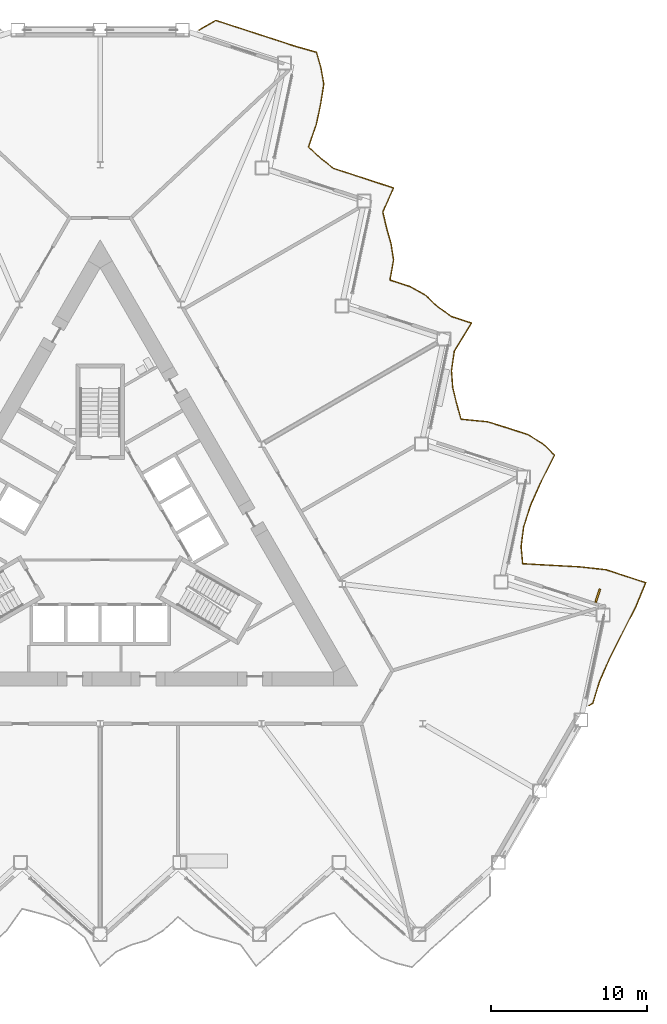
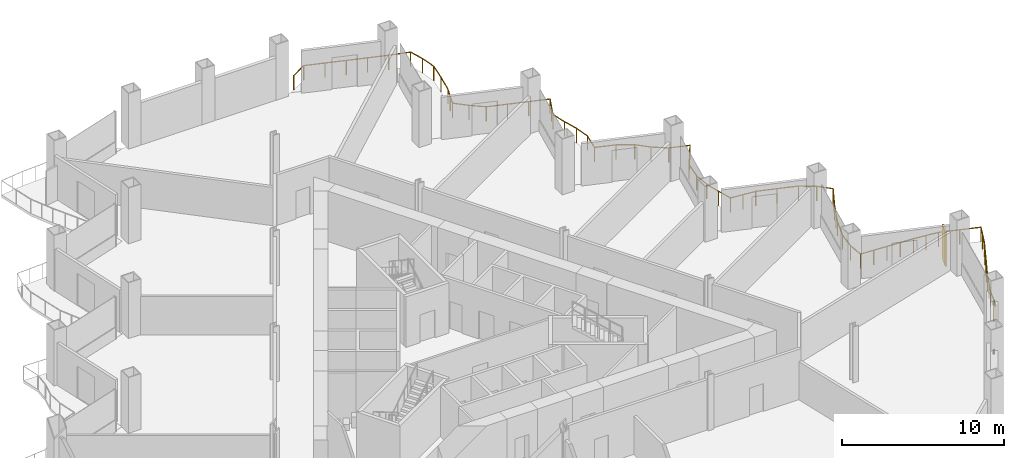
# One storey, part 19 of 21: 1 railing, 1 shading device.
"""IFC4 building model written with IfcOpenShell, lengths in metres."""

from ifc_helpers import new_model, si_unit, direction, frame, origin, origin_2d, place, context, subcontext, project, spatial, rectangle, circle, extrude, material, layer, layer_set, type_object, element, save


model = new_model("IFC4")

# Units and contexts
model_context = context("Model", 3, precision=1e-05, world=origin(), true_north=direction((0.0, 1.0)))
body_context = subcontext(model_context, "Body", "Model", "MODEL_VIEW")
ifc_project = project(units=[si_unit("LENGTHUNIT", "METRE"), si_unit("AREAUNIT", "SQUARE_METRE"), si_unit("VOLUMEUNIT", "CUBIC_METRE"), si_unit("PLANEANGLEUNIT", "RADIAN"), si_unit("MASSUNIT", "GRAM", prefix="KILO")], contexts=[model_context])

# Site, building, storey
site_placement = place(None, origin())
site = spatial("IfcSite", under=ifc_project, at=site_placement, CompositionType="ELEMENT")
building_placement = place(site_placement, origin())
building = spatial("IfcBuilding", under=site, at=building_placement, Name="Cormorant Prow Tower", CompositionType="ELEMENT")
storey_placement = place(building_placement, frame((0.0, 0.0, 103.800048828125)))
storey = spatial("IfcBuildingStorey", under=building, at=storey_placement, Name="L21", CompositionType="ELEMENT", Elevation=103.800048828125)

# Railing
ifc_material_1 = material(Name="Aluminium 6063-T6", Category="aluminium")
railing_type = type_object("IfcRailingType", Name="Balcony guard 1100", PredefinedType="GUARDRAIL", material=ifc_material_1)
railing_placement = place(storey_placement, frame((31.3046875, -10.75146484375, 0.0)))
element("IfcRailing", 1, at=railing_placement, inside=storey, type_object=railing_type, Name="Balcony guard ENE", PredefinedType="GUARDRAIL", context=body_context, shape_type="SweptSolid", body=[
    extrude(circle(Radius=0.02392578125, at=origin_2d()), frame((0.0, 0.0, 1.076171875), z_axis=(0.866065156741, 0.499931139538, 0.0), x_axis=(-0.499931139538, 0.866065156741, 0.0)), (0.0, 0.0, 1.0), 0.27001953125),
    extrude(circle(Radius=0.02392578125, at=origin_2d()), frame((0.23388671875, 0.135009765625, 1.076171875), z_axis=(0.291586651415, 0.95654441858, 0.0), x_axis=(-0.95654441858, 0.291586651415, 0.0)), (0.0, 0.0, 1.0), 1.462646484375),
    extrude(circle(Radius=0.02392578125, at=origin_2d()), frame((0.660400390625, 1.5341796875, 1.076171875), z_axis=(0.402985551478, 0.915206340286, 0.0), x_axis=(-0.915206340286, 0.402985551478, 0.0)), (0.0, 0.0, 1.0), 1.689697265625),
    extrude(circle(Radius=0.02392578125, at=origin_2d()), frame((1.34130859375, 3.08056640625, 1.076171875), z_axis=(0.452229833988, 0.891901439203, 0.0), x_axis=(-0.891901439203, 0.452229833988, 0.0)), (0.0, 0.0, 1.0), 1.827392578125),
    extrude(circle(Radius=0.02392578125, at=origin_2d()), frame((2.167724609375, 4.71044921875, 1.076171875), z_axis=(0.450957610167, 0.892545367941, 0.0), x_axis=(-0.892545367941, 0.450957610167, 0.0)), (0.0, 0.0, 1.0), 1.823974609375),
    extrude(circle(Radius=0.02392578125, at=origin_2d()), frame((2.990234375, 6.33837890625, 1.076171875), z_axis=(0.384509967116, 0.923120839971, 0.0), x_axis=(-0.923120839971, 0.384509967116, 0.0)), (0.0, 0.0, 1.0), 1.64453125),
    extrude(circle(Radius=0.02392578125, at=origin_2d()), frame((3.62255859375, 7.8564453125, 1.076171875), z_axis=(-0.951036739297, 0.309077855091, 0.0), x_axis=(-0.309077855091, -0.951036739297, 0.0)), (0.0, 0.0, 1.0), 1.343505859375),
    extrude(circle(Radius=0.02392578125, at=origin_2d()), frame((2.3447265625, 8.271728515625, 1.076171875), z_axis=(-0.951054092785, 0.309024453071, 0.0), x_axis=(-0.309024453071, -0.951054092785, 0.0)), (0.0, 0.0, 1.0), 1.34375),
    extrude(circle(Radius=0.02392578125, at=origin_2d()), frame((1.066650390625, 8.68701171875, 1.076171875), z_axis=(-0.993962910713, 0.109716599144, 0.0), x_axis=(-0.109716599144, -0.993962910713, 0.0)), (0.0, 0.0, 1.0), 1.686767578125),
    extrude(circle(Radius=0.02392578125, at=origin_2d()), frame((-0.60986328125, 8.8720703125, 1.076171875), z_axis=(-0.998583356738, 0.053209770211, 0.0), x_axis=(-0.053209770211, -0.998583356738, 0.0)), (0.0, 0.0, 1.0), 1.830810546875),
    extrude(circle(Radius=0.02392578125, at=origin_2d()), frame((-2.43798828125, 8.969482421875, 1.076171875), z_axis=(-0.998366091423, 0.057141469158, 0.0), x_axis=(-0.057141469158, -0.998366091423, 0.0)), (0.0, 0.0, 1.0), 1.820068359375),
    extrude(circle(Radius=0.02392578125, at=origin_2d()), frame((-4.255126953125, 9.073486328125, 1.076171875), z_axis=(-0.093340708693, 0.995634226059, 0.0), x_axis=(-0.995634226059, -0.093340708693, 0.0)), (0.0, 0.0, 1.0), 1.0986328125),
    extrude(circle(Radius=0.02392578125, at=origin_2d()), frame((-4.357666015625, 10.167236328125, 1.076171875), z_axis=(0.126668548306, 0.991945098718, 0.0), x_axis=(-0.991945098718, 0.126668548306, 0.0)), (0.0, 0.0, 1.0), 1.254638671875),
    extrude(circle(Radius=0.02392578125, at=origin_2d()), frame((-4.19873046875, 11.411865234375, 1.076171875), z_axis=(0.304912900692, 0.952380240761, 0.0), x_axis=(-0.952380240761, 0.304912900692, 0.0)), (0.0, 0.0, 1.0), 1.4853515625),
    extrude(circle(Radius=0.02392578125, at=origin_2d()), frame((-3.745849609375, 12.826416015625, 1.076171875), z_axis=(0.409995981675, 0.91208732861, 0.0), x_axis=(-0.91208732861, 0.409995981675, 0.0)), (0.0, 0.0, 1.0), 1.707275390625),
    extrude(circle(Radius=0.02392578125, at=origin_2d()), frame((-3.0458984375, 14.383544921875, 1.076171875), z_axis=(0.453965678314, 0.891019170901, 0.0), x_axis=(-0.891019170901, 0.453965678314, 0.0)), (0.0, 0.0, 1.0), 1.833251953125),
    extrude(circle(Radius=0.02392578125, at=origin_2d()), frame((-2.213623046875, 16.01708984375, 1.076171875), z_axis=(-0.716108936136, 0.69798853256, 0.0), x_axis=(-0.69798853256, -0.716108936136, 0.0)), (0.0, 0.0, 1.0), 1.037353515625),
    extrude(circle(Radius=0.02392578125, at=origin_2d()), frame((-2.95654296875, 16.7412109375, 1.076171875), z_axis=(-0.852968410434, 0.521962537737, 0.0), x_axis=(-0.521962537737, -0.852968410434, 0.0)), (0.0, 0.0, 1.0), 1.13671875),
    extrude(circle(Radius=0.02392578125, at=origin_2d()), frame((-3.926025390625, 17.33447265625, 1.076171875), z_axis=(-0.951036739297, 0.309077855091, 0.0), x_axis=(-0.309077855091, -0.951036739297, 0.0)), (0.0, 0.0, 1.0), 1.343505859375),
    extrude(circle(Radius=0.02392578125, at=origin_2d()), frame((-5.203857421875, 17.749755859375, 1.076171875), z_axis=(-0.954200907725, 0.29916655511, 0.0), x_axis=(-0.29916655511, -0.954200907725, 0.0)), (0.0, 0.0, 1.0), 1.356201171875),
    extrude(circle(Radius=0.02392578125, at=origin_2d()), frame((-6.498046875, 18.155517578125, 1.076171875), z_axis=(-0.995238003396, 0.097474697216, 0.0), x_axis=(-0.097474697216, -0.995238003396, 0.0)), (0.0, 0.0, 1.0), 1.715576171875),
    extrude(circle(Radius=0.02392578125, at=origin_2d()), frame((-8.20556640625, 18.32275390625, 1.076171875), z_axis=(-0.267802620722, 0.963473796392, 0.0), x_axis=(-0.963473796392, -0.267802620722, 0.0)), (0.0, 0.0, 1.0), 1.031005859375),
    extrude(circle(Radius=0.02392578125, at=origin_2d()), frame((-8.481689453125, 19.316162109375, 1.076171875), z_axis=(-0.241816729788, 0.970321941005, 0.0), x_axis=(-0.970321941005, -0.241816729788, 0.0)), (0.0, 0.0, 1.0), 1.038818359375),
    extrude(circle(Radius=0.02392578125, at=origin_2d()), frame((-8.73291015625, 20.32421875, 1.076171875), z_axis=(-0.073750047169, 0.997276757246, 0.0), x_axis=(-0.997276757246, -0.073750047169, 0.0)), (0.0, 0.0, 1.0), 1.10888671875),
    extrude(circle(Radius=0.02392578125, at=origin_2d()), frame((-8.814697265625, 21.43017578125, 1.076171875), z_axis=(0.14587475926, 0.989303065097, 0.0), x_axis=(-0.989303065097, 0.14587475926, 0.0)), (0.0, 0.0, 1.0), 1.273681640625),
    extrude(circle(Radius=0.02392578125, at=origin_2d()), frame((-8.62890625, 22.690185546875, 1.076171875), z_axis=(0.523271935996, 0.85216575911, 0.0), x_axis=(-0.85216575911, 0.523271935996, 0.0)), (0.0, 0.0, 1.0), 2.09619140625),
    extrude(circle(Radius=0.02392578125, at=origin_2d()), frame((-7.531982421875, 24.4765625, 1.076171875), z_axis=(-0.951036739297, 0.309077855091, 0.0), x_axis=(-0.309077855091, -0.951036739297, 0.0)), (0.0, 0.0, 1.0), 1.343505859375),
    extrude(circle(Radius=0.02392578125, at=origin_2d()), frame((-8.809814453125, 24.891845703125, 1.076171875), z_axis=(-0.817686528854, 0.575663739114, 0.0), x_axis=(-0.575663739114, -0.817686528854, 0.0)), (0.0, 0.0, 1.0), 1.1005859375),
    extrude(circle(Radius=0.02392578125, at=origin_2d()), frame((-9.709716796875, 25.525390625, 1.076171875), z_axis=(-0.722886478011, 0.690966815346, 0.0), x_axis=(-0.690966815346, -0.722886478011, 0.0)), (0.0, 0.0, 1.0), 1.040283203125),
    extrude(circle(Radius=0.02392578125, at=origin_2d()), frame((-10.461669921875, 26.244140625, 1.076171875), z_axis=(-0.872046754609, 0.489422575875, 0.0), x_axis=(-0.489422575875, -0.872046754609, 0.0)), (0.0, 0.0, 1.0), 1.161376953125),
    extrude(circle(Radius=0.02392578125, at=origin_2d()), frame((-11.474365234375, 26.8125, 1.076171875), z_axis=(-0.951036739297, 0.309077855091, 0.0), x_axis=(-0.309077855091, -0.951036739297, 0.0)), (0.0, 0.0, 1.0), 1.343505859375),
    extrude(circle(Radius=0.02392578125, at=origin_2d()), frame((-12.752197265625, 27.227783203125, 1.076171875), z_axis=(0.177521838978, 0.984116861295, 0.0), x_axis=(-0.984116861295, 0.177521838978, 0.0)), (0.0, 0.0, 1.0), 1.307861328125),
    extrude(circle(Radius=0.02392578125, at=origin_2d()), frame((-12.52001953125, 28.514892578125, 1.076171875), z_axis=(-0.156619077903, 0.987659083103, 0.0), x_axis=(-0.987659083103, -0.156619077903, 0.0)), (0.0, 0.0, 1.0), 1.0693359375),
    extrude(circle(Radius=0.02392578125, at=origin_2d()), frame((-12.6875, 29.571044921875, 1.076171875), z_axis=(-0.272310045674, 0.962209560868, 0.0), x_axis=(-0.962209560868, -0.272310045674, 0.0)), (0.0, 0.0, 1.0), 1.030029296875),
    extrude(circle(Radius=0.02392578125, at=origin_2d()), frame((-12.968017578125, 30.562255859375, 1.076171875), z_axis=(-0.231493819371, 0.972836374522, 0.0), x_axis=(-0.972836374522, -0.231493819371, 0.0)), (0.0, 0.0, 1.0), 1.0419921875),
    extrude(circle(Radius=0.02392578125, at=origin_2d()), frame((-13.209228515625, 31.575927734375, 1.076171875), z_axis=(0.404371477614, 0.914594832749, 0.0), x_axis=(-0.914594832749, 0.404371477614, 0.0)), (0.0, 0.0, 1.0), 1.69287109375),
    extrude(circle(Radius=0.02392578125, at=origin_2d()), frame((-12.524658203125, 33.124267578125, 1.076171875), z_axis=(-0.951036739297, 0.309077855091, 0.0), x_axis=(-0.309077855091, -0.951036739297, 0.0)), (0.0, 0.0, 1.0), 1.343505859375),
    extrude(circle(Radius=0.02392578125, at=origin_2d()), frame((-13.802490234375, 33.53955078125, 1.076171875), z_axis=(-0.951107474865, 0.308860116002, 0.0), x_axis=(-0.308860116002, -0.951107474865, 0.0)), (0.0, 0.0, 1.0), 1.34375),
    extrude(circle(Radius=0.02392578125, at=origin_2d()), frame((-15.08056640625, 33.95458984375, 1.076171875), z_axis=(-0.951036739297, 0.309077855091, 0.0), x_axis=(-0.309077855091, -0.951036739297, 0.0)), (0.0, 0.0, 1.0), 1.343505859375),
    extrude(circle(Radius=0.02392578125, at=origin_2d()), frame((-16.3583984375, 34.369873046875, 1.076171875), z_axis=(-0.787332652632, 0.616528421162, 0.0), x_axis=(-0.616528421162, -0.787332652632, 0.0)), (0.0, 0.0, 1.0), 1.076416015625),
    extrude(circle(Radius=0.02392578125, at=origin_2d()), frame((-17.205810546875, 35.033447265625, 1.076171875), z_axis=(-0.730783032456, 0.682609814956, 0.0), x_axis=(-0.682609814956, -0.730783032456, 0.0)), (0.0, 0.0, 1.0), 1.0439453125),
    extrude(circle(Radius=0.02392578125, at=origin_2d()), frame((-17.96875, 35.74609375, 1.076171875), z_axis=(0.329183396465, 0.944266006744, 0.0), x_axis=(-0.944266006744, 0.329183396465, 0.0)), (0.0, 0.0, 1.0), 1.528564453125),
    extrude(circle(Radius=0.02392578125, at=origin_2d()), frame((-17.465576171875, 37.189453125, 1.076171875), z_axis=(0.207841372786, 0.978162544651, 0.0), x_axis=(-0.978162544651, 0.207841372786, 0.0)), (0.0, 0.0, 1.0), 1.34375),
    extrude(circle(Radius=0.02392578125, at=origin_2d()), frame((-17.186279296875, 38.50390625, 1.076171875), z_axis=(0.1553863186, 0.987853780674, 0.0), x_axis=(-0.987853780674, 0.1553863186, 0.0)), (0.0, 0.0, 1.0), 1.28369140625),
    extrude(circle(Radius=0.02392578125, at=origin_2d()), frame((-16.98681640625, 39.77197265625, 1.076171875), z_axis=(-0.172959761009, 0.984928891378, 0.0), x_axis=(-0.984928891378, -0.172959761009, 0.0)), (0.0, 0.0, 1.0), 1.06298828125),
    extrude(circle(Radius=0.02392578125, at=origin_2d()), frame((-17.170654296875, 40.81884765625, 1.076171875), z_axis=(-0.275378933409, 0.961335759781, 0.0), x_axis=(-0.961335759781, -0.275378933409, 0.0)), (0.0, 0.0, 1.0), 1.029296875),
    extrude(circle(Radius=0.02392578125, at=origin_2d()), frame((-17.4541015625, 41.808349609375, 1.076171875), z_axis=(-0.962372173334, 0.271734797168, 0.0), x_axis=(-0.271734797168, -0.962372173334, 0.0)), (0.0, 0.0, 1.0), 1.3935546875),
    extrude(circle(Radius=0.02392578125, at=origin_2d()), frame((-18.795166015625, 42.18701171875, 1.076171875), z_axis=(-0.951036739297, 0.309077855091, 0.0), x_axis=(-0.309077855091, -0.951036739297, 0.0)), (0.0, 0.0, 1.0), 1.343505859375),
    extrude(circle(Radius=0.02392578125, at=origin_2d()), frame((-20.072998046875, 42.602294921875, 1.076171875), z_axis=(-0.951054092785, 0.309024453071, 0.0), x_axis=(-0.309024453071, -0.951054092785, 0.0)), (0.0, 0.0, 1.0), 1.34375),
    extrude(circle(Radius=0.02392578125, at=origin_2d()), frame((-21.35107421875, 43.017578125, 1.076171875), z_axis=(-0.951090138855, 0.308913495616, 0.0), x_axis=(-0.308913495616, -0.951090138855, 0.0)), (0.0, 0.0, 1.0), 1.343505859375),
    extrude(circle(Radius=0.02392578125, at=origin_2d()), frame((-22.62890625, 43.4326171875, 1.076171875), z_axis=(-0.951036739297, 0.309077855091, 0.0), x_axis=(-0.309077855091, -0.951036739297, 0.0)), (0.0, 0.0, 1.0), 1.343505859375),
    extrude(circle(Radius=0.02392578125, at=origin_2d()), frame((-23.90673828125, 43.847900390625, 1.076171875), z_axis=(-0.866005645448, -0.500034220881, 0.0), x_axis=(0.500034220881, -0.866005645448, 0.0)), (0.0, 0.0, 1.0), 1.22021484375),
    extrude(circle(Radius=0.02099609375, at=origin_2d()), origin(), (0.0, 0.0, 1.0), 1.052001953125),
    extrude(circle(Radius=0.02099609375, at=origin_2d()), frame((0.23388671875, 0.135009765625, 0.0)), (0.0, 0.0, 1.0), 1.052001953125),
    extrude(circle(Radius=0.02099609375, at=origin_2d()), frame((0.660400390625, 1.5341796875, 0.0)), (0.0, 0.0, 1.0), 1.052001953125),
    extrude(circle(Radius=0.02099609375, at=origin_2d()), frame((1.0009765625, 2.307373046875, 0.0)), (0.0, 0.0, 1.0), 1.052001953125),
    extrude(circle(Radius=0.02099609375, at=origin_2d()), frame((1.34130859375, 3.08056640625, 0.0)), (0.0, 0.0, 1.0), 1.052001953125),
    extrude(circle(Radius=0.02099609375, at=origin_2d()), frame((1.75439453125, 3.8955078125, 0.0)), (0.0, 0.0, 1.0), 1.052001953125),
    extrude(circle(Radius=0.02099609375, at=origin_2d()), frame((2.167724609375, 4.71044921875, 0.0)), (0.0, 0.0, 1.0), 1.052001953125),
    extrude(circle(Radius=0.02099609375, at=origin_2d()), frame((2.5791015625, 5.5244140625, 0.0)), (0.0, 0.0, 1.0), 1.052001953125),
    extrude(circle(Radius=0.02099609375, at=origin_2d()), frame((2.990234375, 6.33837890625, 0.0)), (0.0, 0.0, 1.0), 1.052001953125),
    extrude(circle(Radius=0.02099609375, at=origin_2d()), frame((3.306396484375, 7.097412109375, 0.0)), (0.0, 0.0, 1.0), 1.052001953125),
    extrude(circle(Radius=0.02099609375, at=origin_2d()), frame((3.62255859375, 7.8564453125, 0.0)), (0.0, 0.0, 1.0), 1.052001953125),
    extrude(circle(Radius=0.02099609375, at=origin_2d()), frame((2.3447265625, 8.271728515625, 0.0)), (0.0, 0.0, 1.0), 1.052001953125),
    extrude(circle(Radius=0.02099609375, at=origin_2d()), frame((1.066650390625, 8.68701171875, 0.0)), (0.0, 0.0, 1.0), 1.052001953125),
    extrude(circle(Radius=0.02099609375, at=origin_2d()), frame((0.228515625, 8.779541015625, 0.0)), (0.0, 0.0, 1.0), 1.052001953125),
    extrude(circle(Radius=0.02099609375, at=origin_2d()), frame((-0.60986328125, 8.8720703125, 0.0)), (0.0, 0.0, 1.0), 1.052001953125),
    extrude(circle(Radius=0.02099609375, at=origin_2d()), frame((-1.52392578125, 8.9208984375, 0.0)), (0.0, 0.0, 1.0), 1.052001953125),
    extrude(circle(Radius=0.02099609375, at=origin_2d()), frame((-2.43798828125, 8.969482421875, 0.0)), (0.0, 0.0, 1.0), 1.052001953125),
    extrude(circle(Radius=0.02099609375, at=origin_2d()), frame((-3.3466796875, 9.021484375, 0.0)), (0.0, 0.0, 1.0), 1.052001953125),
    extrude(circle(Radius=0.02099609375, at=origin_2d()), frame((-4.255126953125, 9.073486328125, 0.0)), (0.0, 0.0, 1.0), 1.052001953125),
    extrude(circle(Radius=0.02099609375, at=origin_2d()), frame((-4.357666015625, 10.167236328125, 0.0)), (0.0, 0.0, 1.0), 1.052001953125),
    extrude(circle(Radius=0.02099609375, at=origin_2d()), frame((-4.19873046875, 11.411865234375, 0.0)), (0.0, 0.0, 1.0), 1.052001953125),
    extrude(circle(Radius=0.02099609375, at=origin_2d()), frame((-3.745849609375, 12.826416015625, 0.0)), (0.0, 0.0, 1.0), 1.052001953125),
    extrude(circle(Radius=0.02099609375, at=origin_2d()), frame((-3.39599609375, 13.60498046875, 0.0)), (0.0, 0.0, 1.0), 1.052001953125),
    extrude(circle(Radius=0.02099609375, at=origin_2d()), frame((-3.0458984375, 14.383544921875, 0.0)), (0.0, 0.0, 1.0), 1.052001953125),
    extrude(circle(Radius=0.02099609375, at=origin_2d()), frame((-2.6298828125, 15.2001953125, 0.0)), (0.0, 0.0, 1.0), 1.052001953125),
    extrude(circle(Radius=0.02099609375, at=origin_2d()), frame((-2.213623046875, 16.01708984375, 0.0)), (0.0, 0.0, 1.0), 1.052001953125),
    extrude(circle(Radius=0.02099609375, at=origin_2d()), frame((-2.95654296875, 16.7412109375, 0.0)), (0.0, 0.0, 1.0), 1.052001953125),
    extrude(circle(Radius=0.02099609375, at=origin_2d()), frame((-3.926025390625, 17.33447265625, 0.0)), (0.0, 0.0, 1.0), 1.052001953125),
    extrude(circle(Radius=0.02099609375, at=origin_2d()), frame((-5.203857421875, 17.749755859375, 0.0)), (0.0, 0.0, 1.0), 1.052001953125),
    extrude(circle(Radius=0.02099609375, at=origin_2d()), frame((-6.498046875, 18.155517578125, 0.0)), (0.0, 0.0, 1.0), 1.052001953125),
    extrude(circle(Radius=0.02099609375, at=origin_2d()), frame((-7.351806640625, 18.2392578125, 0.0)), (0.0, 0.0, 1.0), 1.052001953125),
    extrude(circle(Radius=0.02099609375, at=origin_2d()), frame((-8.20556640625, 18.32275390625, 0.0)), (0.0, 0.0, 1.0), 1.052001953125),
    extrude(circle(Radius=0.02099609375, at=origin_2d()), frame((-8.481689453125, 19.316162109375, 0.0)), (0.0, 0.0, 1.0), 1.052001953125),
    extrude(circle(Radius=0.02099609375, at=origin_2d()), frame((-8.73291015625, 20.32421875, 0.0)), (0.0, 0.0, 1.0), 1.052001953125),
    extrude(circle(Radius=0.02099609375, at=origin_2d()), frame((-8.814697265625, 21.43017578125, 0.0)), (0.0, 0.0, 1.0), 1.052001953125),
    extrude(circle(Radius=0.02099609375, at=origin_2d()), frame((-8.62890625, 22.690185546875, 0.0)), (0.0, 0.0, 1.0), 1.052001953125),
    extrude(circle(Radius=0.02099609375, at=origin_2d()), frame((-8.08056640625, 23.58349609375, 0.0)), (0.0, 0.0, 1.0), 1.052001953125),
    extrude(circle(Radius=0.02099609375, at=origin_2d()), frame((-7.531982421875, 24.4765625, 0.0)), (0.0, 0.0, 1.0), 1.052001953125),
    extrude(circle(Radius=0.02099609375, at=origin_2d()), frame((-8.809814453125, 24.891845703125, 0.0)), (0.0, 0.0, 1.0), 1.052001953125),
    extrude(circle(Radius=0.02099609375, at=origin_2d()), frame((-9.709716796875, 25.525390625, 0.0)), (0.0, 0.0, 1.0), 1.052001953125),
    extrude(circle(Radius=0.02099609375, at=origin_2d()), frame((-10.461669921875, 26.244140625, 0.0)), (0.0, 0.0, 1.0), 1.052001953125),
    extrude(circle(Radius=0.02099609375, at=origin_2d()), frame((-11.474365234375, 26.8125, 0.0)), (0.0, 0.0, 1.0), 1.052001953125),
    extrude(circle(Radius=0.02099609375, at=origin_2d()), frame((-12.752197265625, 27.227783203125, 0.0)), (0.0, 0.0, 1.0), 1.052001953125),
    extrude(circle(Radius=0.02099609375, at=origin_2d()), frame((-12.52001953125, 28.514892578125, 0.0)), (0.0, 0.0, 1.0), 1.052001953125),
    extrude(circle(Radius=0.02099609375, at=origin_2d()), frame((-12.6875, 29.571044921875, 0.0)), (0.0, 0.0, 1.0), 1.052001953125),
    extrude(circle(Radius=0.02099609375, at=origin_2d()), frame((-12.968017578125, 30.562255859375, 0.0)), (0.0, 0.0, 1.0), 1.052001953125),
    extrude(circle(Radius=0.02099609375, at=origin_2d()), frame((-13.209228515625, 31.575927734375, 0.0)), (0.0, 0.0, 1.0), 1.052001953125),
    extrude(circle(Radius=0.02099609375, at=origin_2d()), frame((-12.866943359375, 32.35009765625, 0.0)), (0.0, 0.0, 1.0), 1.052001953125),
    extrude(circle(Radius=0.02099609375, at=origin_2d()), frame((-12.524658203125, 33.124267578125, 0.0)), (0.0, 0.0, 1.0), 1.052001953125),
    extrude(circle(Radius=0.02099609375, at=origin_2d()), frame((-13.802490234375, 33.53955078125, 0.0)), (0.0, 0.0, 1.0), 1.052001953125),
    extrude(circle(Radius=0.02099609375, at=origin_2d()), frame((-15.08056640625, 33.95458984375, 0.0)), (0.0, 0.0, 1.0), 1.052001953125),
    extrude(circle(Radius=0.02099609375, at=origin_2d()), frame((-16.3583984375, 34.369873046875, 0.0)), (0.0, 0.0, 1.0), 1.052001953125),
    extrude(circle(Radius=0.02099609375, at=origin_2d()), frame((-17.205810546875, 35.033447265625, 0.0)), (0.0, 0.0, 1.0), 1.052001953125),
    extrude(circle(Radius=0.02099609375, at=origin_2d()), frame((-17.96875, 35.74609375, 0.0)), (0.0, 0.0, 1.0), 1.052001953125),
    extrude(circle(Radius=0.02099609375, at=origin_2d()), frame((-17.71728515625, 36.4677734375, 0.0)), (0.0, 0.0, 1.0), 1.052001953125),
    extrude(circle(Radius=0.02099609375, at=origin_2d()), frame((-17.465576171875, 37.189453125, 0.0)), (0.0, 0.0, 1.0), 1.052001953125),
    extrude(circle(Radius=0.02099609375, at=origin_2d()), frame((-17.186279296875, 38.50390625, 0.0)), (0.0, 0.0, 1.0), 1.052001953125),
    extrude(circle(Radius=0.02099609375, at=origin_2d()), frame((-16.98681640625, 39.77197265625, 0.0)), (0.0, 0.0, 1.0), 1.052001953125),
    extrude(circle(Radius=0.02099609375, at=origin_2d()), frame((-17.170654296875, 40.81884765625, 0.0)), (0.0, 0.0, 1.0), 1.052001953125),
    extrude(circle(Radius=0.02099609375, at=origin_2d()), frame((-17.4541015625, 41.808349609375, 0.0)), (0.0, 0.0, 1.0), 1.052001953125),
    extrude(circle(Radius=0.02099609375, at=origin_2d()), frame((-18.795166015625, 42.18701171875, 0.0)), (0.0, 0.0, 1.0), 1.052001953125),
    extrude(circle(Radius=0.02099609375, at=origin_2d()), frame((-20.072998046875, 42.602294921875, 0.0)), (0.0, 0.0, 1.0), 1.052001953125),
    extrude(circle(Radius=0.02099609375, at=origin_2d()), frame((-21.35107421875, 43.017578125, 0.0)), (0.0, 0.0, 1.0), 1.052001953125),
    extrude(circle(Radius=0.02099609375, at=origin_2d()), frame((-22.62890625, 43.4326171875, 0.0)), (0.0, 0.0, 1.0), 1.052001953125),
    extrude(circle(Radius=0.02099609375, at=origin_2d()), frame((-23.90673828125, 43.847900390625, 0.0)), (0.0, 0.0, 1.0), 1.052001953125),
    extrude(circle(Radius=0.02099609375, at=origin_2d()), frame((-24.96337890625, 43.23779296875, 0.0)), (0.0, 0.0, 1.0), 1.052001953125),
])

# Shading device
ifc_material_2 = material(Name="Terracotta", Category="masonry")
ifc_layer = layer(ifc_material_2, 0.1201171875)
ifc_layer_set = layer_set([ifc_layer], Name="Terracotta")
shading_device_type = type_object("IfcShadingDeviceType", Name="Terracotta baguette fin 120x900x2600", PredefinedType="USERDEFINED", material=ifc_layer_set)
shading_device_placement = place(storey_placement, frame((31.849609375, -3.726806640625, 0.0), z_axis=(0.0, 0.0, 1.0), x_axis=(-0.951056535959, 0.309016933855, 0.0)))
element("IfcShadingDevice", 2, at=shading_device_placement, inside=storey, type_object=shading_device_type, Name="Baguette fin ENE01", ObjectType="BAGUETTE", PredefinedType="USERDEFINED", context=body_context, shape_type="SweptSolid", body=[
    extrude(rectangle(XDim=0.1201171875, YDim=0.89990234375, at=origin_2d()), origin(), (0.0, 0.0, 1.0), 2.60009765625),
])

save(model, "model.ifc")
